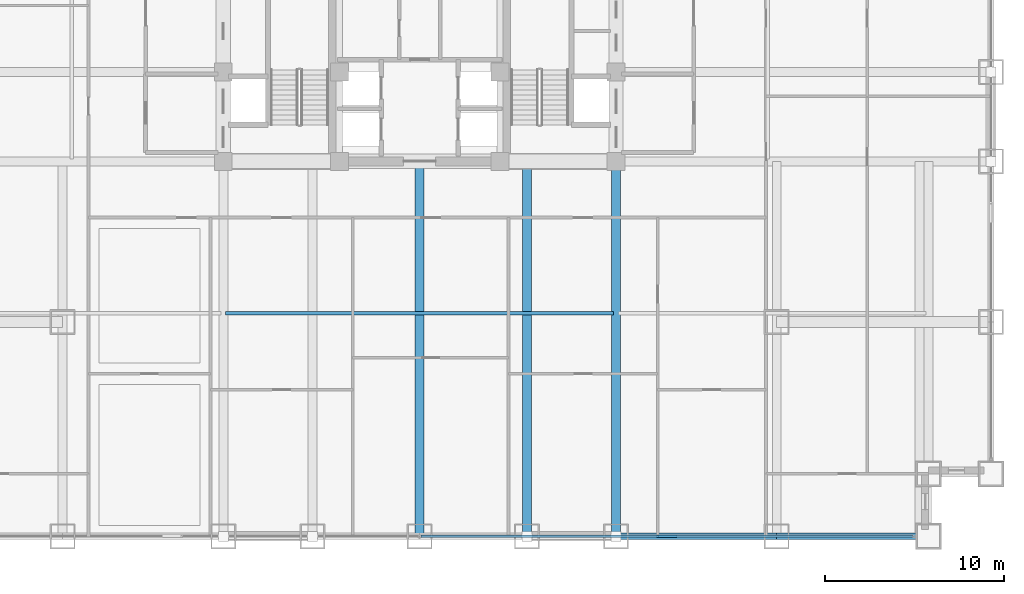
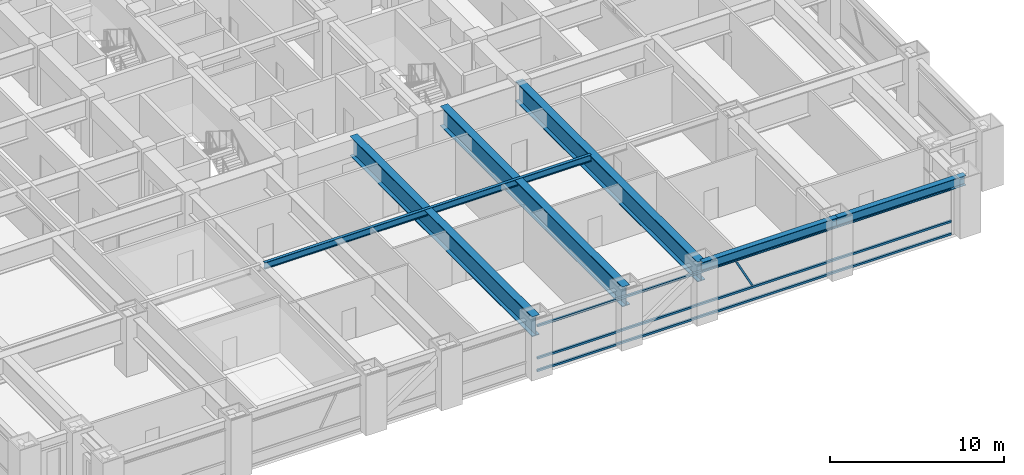
# One storey, part 5 of 29: 6 beams, 4 members, 1 element without a shape of its own.
"""IFC4 building model written with IfcOpenShell, lengths in metres."""

from ifc_helpers import new_model, si_unit, direction, frame, origin, origin_2d, place, context, subcontext, project, spatial, hollow_rectangle, i_section, extrude, source, transform, mapped, material, material_profile, profile_set, type_object, element, aggregate, save


model = new_model("IFC4")

# Units and contexts
model_context = context("Model", 3, precision=1e-05, world=origin(), true_north=direction((0.0, 1.0)))
body_context = subcontext(model_context, "Body", "Model", "MODEL_VIEW")
ifc_project = project(units=[si_unit("LENGTHUNIT", "METRE"), si_unit("AREAUNIT", "SQUARE_METRE"), si_unit("VOLUMEUNIT", "CUBIC_METRE"), si_unit("PLANEANGLEUNIT", "RADIAN"), si_unit("MASSUNIT", "GRAM", prefix="KILO")], contexts=[model_context])

# Site, building, storey
site_placement = place(None, origin())
site = spatial("IfcSite", under=ifc_project, at=site_placement, CompositionType="ELEMENT")
building_placement = place(site_placement, origin())
building = spatial("IfcBuilding", under=site, at=building_placement, Name="Khorayat Bourse Tower", CompositionType="ELEMENT")
storey_placement = place(building_placement, frame((0.0, 0.0, 87.199951171875)))
storey = spatial("IfcBuildingStorey", under=building, at=storey_placement, Name="L19", CompositionType="ELEMENT", Elevation=87.199951171875)

# Beams
ifc_material_1 = material(Name="Steel ASTM A992 Grade 50", Category="steel")
ifc_material_profile_1 = material_profile(ifc_material_1, i_section(OverallWidth=0.35498046875, OverallDepth=0.695068359375, WebThickness=0.015380859375, FlangeThickness=0.02490234375, FilletRadius=0.01806640625, at=origin_2d()), Name="W690X217")
ifc_profile_set_1 = profile_set([ifc_material_profile_1], Name="Steel ASTM A992 Grade 50")
beam_type_1 = type_object("IfcBeamType", Name="BM-SPAN-690", PredefinedType="SPANDREL", material=ifc_profile_set_1)
shared_shape_1 = source(origin(), body_context, "Body", "SweptSolid", [
    extrude(i_section(OverallWidth=0.35498046875, OverallDepth=0.695068359375, WebThickness=0.015380859375, FlangeThickness=0.02490234375, FilletRadius=0.01806640625, at=origin_2d()), origin(), (0.0, 0.0, 1.0), 8.5),
])
beam_1_placement = place(storey_placement, frame((20.0, -32.0, 3.592529296875), z_axis=(1.0, 0.0, 0.0), x_axis=(0.0, 1.0, 0.0)))
element("IfcBeam", 1, at=beam_1_placement, inside=storey, type_object=beam_type_1, Name="L19 BM-SPAN-690 BM-L19-SPN-031", PredefinedType="SPANDREL", context=body_context, shape_type="MappedRepresentation", body=[
    mapped(shared_shape_1, transform((0.0, 0.0, 0.0), scale=1.0)),
])
shared_shape_2 = source(origin(), body_context, "Body", "SweptSolid", [
    extrude(i_section(OverallWidth=0.35498046875, OverallDepth=0.695068359375, WebThickness=0.015380859375, FlangeThickness=0.02490234375, FilletRadius=0.01806640625, at=origin_2d()), origin(), (0.0, 0.0, 1.0), 9.0),
])
beam_2_placement = place(storey_placement, frame((11.0, -32.0, 3.592529296875), z_axis=(1.0, 0.0, 0.0), x_axis=(0.0, 1.0, 0.0)))
element("IfcBeam", 2, at=beam_2_placement, inside=storey, type_object=beam_type_1, Name="L19 BM-SPAN-690 BM-L19-SPN-030", PredefinedType="SPANDREL", context=body_context, shape_type="MappedRepresentation", body=[
    mapped(shared_shape_2, transform((0.0, 0.0, 0.0), scale=1.0)),
])
ifc_material_profile_2 = material_profile(ifc_material_1, i_section(OverallWidth=0.194091796875, OverallDepth=0.468994140625, WebThickness=0.0126953125, FlangeThickness=0.0205078125, FilletRadius=0.012939453125, at=origin_2d()), Name="W460X106")
ifc_profile_set_2 = profile_set([ifc_material_profile_2], Name="Steel ASTM A992 Grade 50")
beam_type_2 = type_object("IfcBeamType", Name="BM-JOIST-460", PredefinedType="JOIST", material=ifc_profile_set_2)
shared_shape_3 = source(origin(), body_context, "Body", "SweptSolid", [
    extrude(i_section(OverallWidth=0.194091796875, OverallDepth=0.468994140625, WebThickness=0.0126953125, FlangeThickness=0.0205078125, FilletRadius=0.012939453125, at=origin_2d()), origin(), (0.0, 0.0, 1.0), 21.740234375),
])
beam_3_placement = place(storey_placement, frame((-10.8701171875, -19.5, 3.70556640625), z_axis=(1.0, 0.0, 0.0), x_axis=(0.0, 1.0, 0.0)))
element("IfcBeam", 3, at=beam_3_placement, inside=storey, type_object=beam_type_2, Name="L19 BM-JOIST-460 BM-L19-JSTX-105", PredefinedType="JOIST", context=body_context, shape_type="MappedRepresentation", body=[
    mapped(shared_shape_3, transform((0.0, 0.0, 0.0), scale=1.0)),
])
ifc_material_2 = material(Name="Steel EN 10025-4 S460M", Category="steel")
ifc_material_profile_3 = material_profile(ifc_material_2, i_section(OverallWidth=0.5, OverallDepth=1.39990234375, WebThickness=0.02490234375, FlangeThickness=0.050048828125, at=origin_2d()), Name="PG 1400x500x25x50")
ifc_profile_set_3 = profile_set([ifc_material_profile_3], Name="Steel EN 10025-4 S460M")
beam_type_3 = type_object("IfcBeamType", Name="BM-TR-1400", PredefinedType="BEAM", material=ifc_profile_set_3)
shared_shape_4 = source(origin(), body_context, "Body", "SweptSolid", [
    extrude(i_section(OverallWidth=0.5, OverallDepth=1.39990234375, WebThickness=0.02490234375, FlangeThickness=0.050048828125, at=origin_2d()), origin(), (0.0, 0.0, 1.0), 21.0),
])
for number, where, z_axis, x_axis, name in (
    (4, (0.0, -32.0, 3.239990234375), (0.0, 1.0, 0.0), (-1.0, 0.0, 0.0), "L19 BM-TR-1400 BM-L19-RADY-069"),
    (5, (6.0, -32.0, 3.239990234375), (0.0, 1.0, 0.0), (-1.0, 0.0, 0.0), "L19 BM-TR-1400 BM-L19-RADY-071"),
    (6, (11.0, -32.0, 3.239990234375), (0.0, 1.0, 0.0), (-1.0, 0.0, 0.0), "L19 BM-TR-1400 BM-L19-RADY-073"),
):
    element("IfcBeam", number, at=place(storey_placement, frame(where, z_axis=z_axis, x_axis=x_axis)), inside=storey, type_object=beam_type_3, Name=name, PredefinedType="BEAM", context=body_context, shape_type="MappedRepresentation", body=[
        mapped(shared_shape_4, transform((0.0, 0.0, 0.0), scale=1.0)),
    ])

# Curtain wall, members
ifc_material_3 = material(Name="Aluminium EN AW-6063 T6", Category="aluminium")
curtain_wall_type = type_object("IfcCurtainWallType", Name="CW-SYS-02", PredefinedType="NOTDEFINED", material=ifc_material_3)
curtain_wall_placement = place(storey_placement, origin())
curtain_wall = element("IfcCurtainWall", 7, at=curtain_wall_placement, inside=storey, type_object=curtain_wall_type, Name="L19 Curtain Wall CW-L19-S1", PredefinedType="NOTDEFINED")
ifc_material_profile_4 = material_profile(ifc_material_3, hollow_rectangle(XDim=0.1201171875, YDim=0.1201171875, WallThickness=0.0048828125, at=origin_2d()), Name="ALU 120x120x5")
ifc_profile_set_4 = profile_set([ifc_material_profile_4], Name="Aluminium EN AW-6063 T6")
member_type_1 = type_object("IfcMemberType", Name="CWM-DIAG-120", PredefinedType="MULLION", material=ifc_profile_set_4)
shared_shape_5 = source(origin(), body_context, "Body", "SweptSolid", [
    extrude(hollow_rectangle(XDim=0.1201171875, YDim=0.1201171875, WallThickness=0.0048828125, at=origin_2d()), origin(), (0.0, 0.0, 1.0), 2.22607421875),
])
member_1_placement = place(storey_placement, frame((14.3583984375, -32.0, 1.10009765625), z_axis=(-0.465759992596, 0.0, 0.884911085532), x_axis=(0.0, -1.0, 0.0)))
member_1 = element("IfcMember", 8, at=member_1_placement, type_object=member_type_1, Name="CW-L19-S1 Faceted Diagonal Mullion 2", PredefinedType="MULLION", context=body_context, shape_type="MappedRepresentation", body=[
    mapped(shared_shape_5, transform((0.0, 0.0, 0.0), scale=1.0)),
])
ifc_material_profile_5 = material_profile(ifc_material_3, hollow_rectangle(XDim=0.139892578125, YDim=0.139892578125, WallThickness=0.006103515625, at=origin_2d()), Name="ALU 140x140x6")
ifc_profile_set_5 = profile_set([ifc_material_profile_5], Name="Aluminium EN AW-6063 T6")
member_type_2 = type_object("IfcMemberType", Name="CWT-HORZ-140", PredefinedType="USERDEFINED", material=ifc_profile_set_5)
shared_shape_6 = source(origin(), body_context, "Body", "SweptSolid", [
    extrude(hollow_rectangle(XDim=0.139892578125, YDim=0.139892578125, WallThickness=0.006103515625, at=origin_2d()), origin(), (0.0, 0.0, 1.0), 27.5400390625),
])
member_2_placement = place(storey_placement, frame((0.070068359375, -32.0, 0.070068359375), z_axis=(1.0, 0.0, 0.0), x_axis=(0.0, 1.0, 0.0)))
member_2 = element("IfcMember", 9, at=member_2_placement, type_object=member_type_2, Name="CW-L19-S1 Horizontal Transom 2-1", ObjectType="TRANSOM", PredefinedType="USERDEFINED", context=body_context, shape_type="MappedRepresentation", body=[
    mapped(shared_shape_6, transform((0.0, 0.0, 0.0), scale=1.0)),
])
member_3_placement = place(storey_placement, frame((0.070068359375, -32.0, 0.949951171875), z_axis=(1.0, 0.0, 0.0), x_axis=(0.0, 1.0, 0.0)))
member_3 = element("IfcMember", 10, at=member_3_placement, type_object=member_type_2, Name="CW-L19-S1 Horizontal Transom 2-2", ObjectType="TRANSOM", PredefinedType="USERDEFINED", context=body_context, shape_type="MappedRepresentation", body=[
    mapped(shared_shape_6, transform((0.0, 0.0, 0.0), scale=1.0)),
])
member_4_placement = place(storey_placement, frame((0.070068359375, -32.0, 3.219970703125), z_axis=(1.0, 0.0, 0.0), x_axis=(0.0, 1.0, 0.0)))
member_4 = element("IfcMember", 11, at=member_4_placement, type_object=member_type_2, Name="CW-L19-S1 Horizontal Transom 2-3", ObjectType="TRANSOM", PredefinedType="USERDEFINED", context=body_context, shape_type="MappedRepresentation", body=[
    mapped(shared_shape_6, transform((0.0, 0.0, 0.0), scale=1.0)),
])
aggregate(curtain_wall, [member_2, member_3, member_4, member_1])

save(model, "model.ifc")
